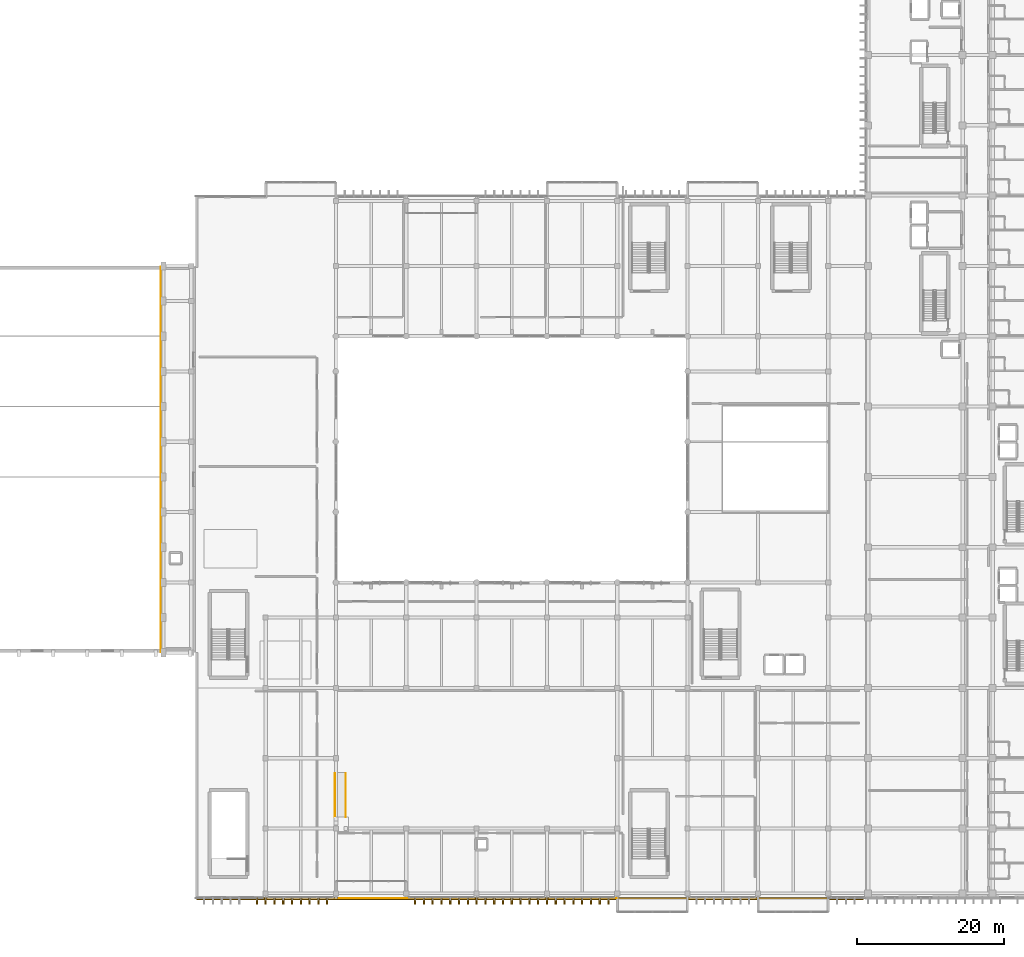
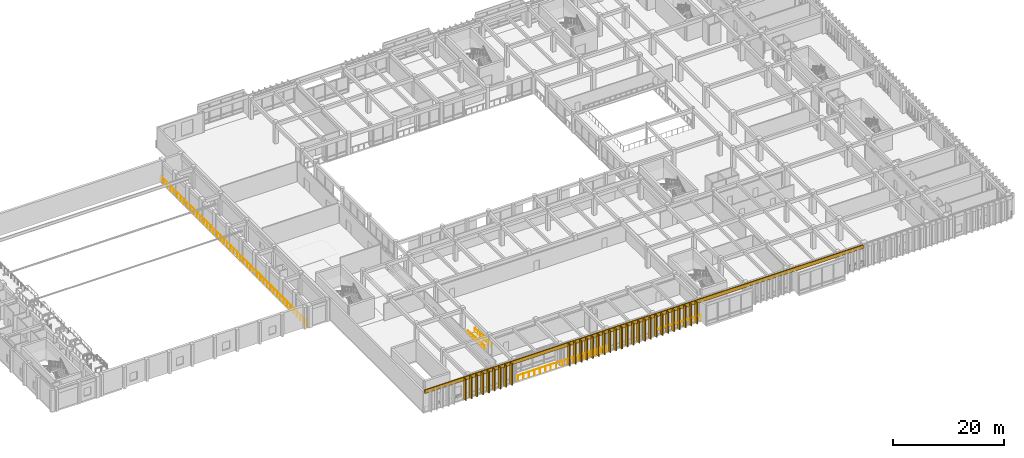
# One storey, part 119 of 133: 33 coverings, 32 shading devices, 6 railings.
"""IFC4 building model written with IfcOpenShell, lengths in metres."""

import ifcopenshell
import ifcopenshell.guid

model = None  # the IFC model being written
_history = None  # IfcOwnerHistory: only IFC2X3 demands one
_inside = {}  # id of a spatial element -> (the spatial element, [elements in it])
_under = {}  # id of a project, library or spatial element -> (it, [spatial elements below it])
_declared = {}  # id of a project -> (the project, [libraries it declares])
_typed = {}  # id of a type object -> (the type object, [elements of that type])
_made_of = {}  # id of a material, layer set ... -> (it, [elements and type objects made of it])


def new_model(schema):
    """Start an empty IFC model of exactly this schema.

    Asked for "IFC4X3", IfcOpenShell would pick the latest addendum, in which some entities
    have other attributes; the version numbers below select the first issue.
    IFC2X3 requires an IfcOwnerHistory on every rooted entity: one is made here for all.
    """
    global model, _history
    if schema == "IFC4X3":
        model = ifcopenshell.file(schema_version=(4, 3, 0, 0))
    else:
        model = ifcopenshell.file(schema=schema)
    _inside.clear()
    _under.clear()
    _declared.clear()
    _typed.clear()
    _made_of.clear()
    _history = None
    if model.schema == "IFC2X3":
        org = make("IfcOrganization", Name="unknown")
        user = make(
            "IfcPersonAndOrganization",
            ThePerson=make("IfcPerson", FamilyName="unknown"),
            TheOrganization=org,
        )
        app = make(
            "IfcApplication",
            ApplicationDeveloper=org,
            Version="unknown",
            ApplicationFullName="unknown",
            ApplicationIdentifier="unknown",
        )
        _history = make(
            "IfcOwnerHistory",
            OwningUser=user,
            OwningApplication=app,
            ChangeAction="ADDED",
            CreationDate=0,
        )
    return model


def make(cls, **values):
    """One entity of the class cls with the attributes given. An attribute that is None is left unset."""
    return model.create_entity(
        cls, **{name: value for name, value in values.items() if value is not None}
    )


def rooted(cls, **values):
    """An entity with a GlobalId (a new one), such as an element, a storey or a relation."""
    return make(cls, GlobalId=ifcopenshell.guid.new(), OwnerHistory=_history, **values)


def si_unit(unit_type, name, prefix=None):
    """IfcSIUnit, for example si_unit("LENGTHUNIT", "METRE", prefix="MILLI")."""
    return make("IfcSIUnit", UnitType=unit_type, Prefix=prefix, Name=name)


def assignment(units):
    """IfcUnitAssignment: the units of a project."""
    return None if units is None else make("IfcUnitAssignment", Units=units)


def point(xyz):
    """IfcCartesianPoint."""
    return None if xyz is None else make("IfcCartesianPoint", Coordinates=xyz)


def direction(xyz):
    """IfcDirection."""
    return None if xyz is None else make("IfcDirection", DirectionRatios=xyz)


def frame(location, z_axis=None, x_axis=None):
    """IfcAxis2Placement3D, a coordinate frame: its origin and axes. An axis left out is left unset."""
    return make(
        "IfcAxis2Placement3D",
        Location=point(location),
        Axis=direction(z_axis),
        RefDirection=direction(x_axis),
    )


def frame_2d(location, x_axis=None):
    """IfcAxis2Placement2D, a coordinate frame in the plane: its origin and x axis."""
    return make(
        "IfcAxis2Placement2D", Location=point(location), RefDirection=direction(x_axis)
    )


def origin():
    """The frame at (0, 0, 0) with its axes left unset."""
    return frame((0.0, 0.0, 0.0))


def origin_2d():
    """The frame at (0, 0) in the plane with its x axis left unset."""
    return frame_2d((0.0, 0.0))


def place(relative_to, where):
    """IfcLocalPlacement: puts the frame where relative to a parent placement (None: the world)."""
    return make(
        "IfcLocalPlacement", PlacementRelTo=relative_to, RelativePlacement=where
    )


def context(
    kind, dimensions, precision=None, world=None, true_north=None, identifier=None
):
    """IfcGeometricRepresentationContext, for example the 3D "Model" context."""
    return make(
        "IfcGeometricRepresentationContext",
        ContextIdentifier=identifier,
        ContextType=kind,
        CoordinateSpaceDimension=dimensions,
        Precision=precision,
        WorldCoordinateSystem=world,
        TrueNorth=true_north,
    )


def subcontext(parent, identifier, kind, view, scale=None):
    """IfcGeometricRepresentationSubContext, for example "Body" below "Model"."""
    return make(
        "IfcGeometricRepresentationSubContext",
        ContextIdentifier=identifier,
        ContextType=kind,
        ParentContext=parent,
        TargetScale=scale,
        TargetView=view,
    )


def project(units=None, contexts=None):
    """IfcProject with its units and contexts."""
    return rooted(
        "IfcProject",
        Name="project",
        RepresentationContexts=contexts,
        UnitsInContext=assignment(units),
    )


def spatial(cls, under=None, at=None, **own):
    """A site, building, storey or space (cls), placed at a placement, below another one or the project."""
    s = rooted(cls, ObjectPlacement=at, **own)
    if under is not None:
        _under.setdefault(under.id(), (under, []))[1].append(s)
    return s


def profile(cls, at=None, kind="AREA", **sizes):
    """A parametric profile (cls). Its sizes go by their IFC names, for example OverallWidth=200.0."""
    return make(cls, ProfileType=kind, Position=at, **sizes)


def rectangle(**sizes):
    """IfcRectangleProfileDef."""
    return profile("IfcRectangleProfileDef", **sizes)


def circle(**sizes):
    """IfcCircleProfileDef."""
    return profile("IfcCircleProfileDef", **sizes)


def extrude(swept, where, along, depth):
    """IfcExtrudedAreaSolid: the profile swept, set in the frame where, extruded along a direction by depth."""
    return make(
        "IfcExtrudedAreaSolid",
        SweptArea=swept,
        Position=where,
        ExtrudedDirection=direction(along),
        Depth=depth,
    )


def shape(context_of_items, identifier, shape_type, items):
    """IfcShapeRepresentation: the items that make up one representation, for example the "Body"."""
    return make(
        "IfcShapeRepresentation",
        ContextOfItems=context_of_items,
        RepresentationIdentifier=identifier,
        RepresentationType=shape_type,
        Items=items,
    )


def material(Name=None, Category=None):
    """IfcMaterial."""
    return make("IfcMaterial", Name=Name, Category=Category)


def layer(
    of_material, thickness, ventilated=None, Name=None, Category=None, Priority=None
):
    """IfcMaterialLayer: one layer of a wall or slab, of a material (None: an air gap)."""
    return make(
        "IfcMaterialLayer",
        Material=of_material,
        LayerThickness=thickness,
        IsVentilated=ventilated,
        Name=Name,
        Category=Category,
        Priority=Priority,
    )


def layer_set(layers, Name=None):
    """IfcMaterialLayerSet."""
    return make("IfcMaterialLayerSet", MaterialLayers=layers, LayerSetName=Name)


def made_of(thing, what):
    """Note that an element or type object is made of a material, layer set ...; save() writes the relation."""
    if what is not None:
        _made_of.setdefault(what.id(), (what, []))[1].append(thing)
    return thing


def type_object(cls, material=None, **own):
    """A type object (cls), such as IfcWallType, which elements share."""
    return made_of(rooted(cls, **own), material)


def element(
    cls,
    number,
    at=None,
    inside=None,
    cuts=None,
    type_object=None,
    material=None,
    context=None,
    identifier="Body",
    shape_type=None,
    held_by="IfcProductDefinitionShape",
    body=None,
    shapes=None,
    **own,
):
    """One element of the class cls, such as IfcWall. Its Tag is "e" and its number.

    at: its placement. inside: the storey or other place that contains it. cuts: it is an
    opening in that element (IfcRelVoidsElement). A single representation is given by context,
    identifier, shape_type and body (its items); several are given by shapes. held_by: the class
    of the entity that holds the representations. save() writes the other relations.
    """
    e = rooted(cls, Tag="e%d" % number, ObjectPlacement=at, **own)
    if body is not None:
        shapes = [shape(context, identifier, shape_type, body)]
    if shapes is not None:
        e.Representation = make(held_by, Representations=shapes)
    if inside is not None:
        _inside.setdefault(inside.id(), (inside, []))[1].append(e)
    if cuts is not None:
        rooted(
            "IfcRelVoidsElement", RelatingBuildingElement=cuts, RelatedOpeningElement=e
        )
    if type_object is not None:
        _typed.setdefault(type_object.id(), (type_object, []))[1].append(e)
    return made_of(e, material)


def aggregate(whole, parts):
    """IfcRelAggregates: a whole, such as a stair, and the parts it consists of."""
    return rooted("IfcRelAggregates", RelatingObject=whole, RelatedObjects=parts)


def save(model, path):
    """Write the relations noted so far, then the file.

    IfcRelAggregates (storeys below a building ...), IfcRelContainedInSpatialStructure (elements
    in a storey), IfcRelDefinesByType, IfcRelAssociatesMaterial and IfcRelDeclares: one each for
    every whole, place, type object, material and project.
    """
    for whole, parts in _under.values():
        aggregate(whole, parts)
    for where, things in _inside.values():
        rooted(
            "IfcRelContainedInSpatialStructure",
            RelatedElements=things,
            RelatingStructure=where,
        )
    for kind, things in _typed.values():
        rooted("IfcRelDefinesByType", RelatedObjects=things, RelatingType=kind)
    for what, things in _made_of.values():
        rooted("IfcRelAssociatesMaterial", RelatedObjects=things, RelatingMaterial=what)
    for by, libraries in _declared.values():
        rooted("IfcRelDeclares", RelatingContext=by, RelatedDefinitions=libraries)
    model.write(path)


model = new_model("IFC4")

# Units and contexts
model_context = context("Model", 3, precision=1e-05, world=origin(), true_north=direction((0.0, 1.0)))
body_context = subcontext(model_context, "Body", "Model", "MODEL_VIEW")
ifc_project = project(units=[si_unit("LENGTHUNIT", "METRE"), si_unit("AREAUNIT", "SQUARE_METRE"), si_unit("VOLUMEUNIT", "CUBIC_METRE"), si_unit("PLANEANGLEUNIT", "RADIAN"), si_unit("MASSUNIT", "GRAM", prefix="KILO")], contexts=[model_context])

# Site, building, storey
site_placement = place(None, origin())
site = spatial("IfcSite", under=ifc_project, at=site_placement, CompositionType="ELEMENT")
building_placement = place(site_placement, origin())
building = spatial("IfcBuilding", under=site, at=building_placement, Name="Nakhvara Creek Congress Hotel", CompositionType="ELEMENT")
storey_placement = place(building_placement, frame((0.0, 0.0, 11.39990234375)))
storey = spatial("IfcBuildingStorey", under=building, at=storey_placement, Name="L02", CompositionType="ELEMENT", Elevation=11.39990234375)

# Coverings
ifc_material_1 = material(Name="Honed pale Omani limestone architectural cladding", Category="masonry")
ifc_layer_1 = layer(ifc_material_1, 0.219970703125)
ifc_layer_set_1 = layer_set([ifc_layer_1], Name="Honed pale Omani limestone architectural cladding")
covering_type_1 = type_object("IfcCoveringType", Name="COV-FIN-850", PredefinedType="CLADDING", material=ifc_layer_set_1)
for number, where, z_axis, x_axis, name in (
    (1, (66.0, -0.304931640625, 0.0), (0.0, 0.0, 1.0), (1.0, 0.0, 0.0), "Pale Limestone Fin Cladding CF01-0222"),
    (2, (67.199951171875, -0.304931640625, 0.0), (0.0, 0.0, 1.0), (1.0, 0.0, 0.0), "Pale Limestone Fin Cladding CF01-0223"),
    (3, (68.39990234375, -0.304931640625, 0.0), (0.0, 0.0, 1.0), (1.0, 0.0, 0.0), "Pale Limestone Fin Cladding CF01-0224"),
    (4, (69.60009765625, -0.304931640625, 0.0), (0.0, 0.0, 1.0), (1.0, 0.0, 0.0), "Pale Limestone Fin Cladding CF01-0225"),
    (5, (70.800048828125, -0.304931640625, 0.0), (0.0, 0.0, 1.0), (1.0, 0.0, 0.0), "Pale Limestone Fin Cladding CF01-0226"),
    (6, (72.0, -0.304931640625, 0.0), (0.0, 0.0, 1.0), (1.0, 0.0, 0.0), "Pale Limestone Fin Cladding CF01-0227"),
    (7, (73.199951171875, -0.304931640625, 0.0), (0.0, 0.0, 1.0), (1.0, 0.0, 0.0), "Pale Limestone Fin Cladding CF01-0228"),
    (8, (74.39990234375, -0.304931640625, 0.0), (0.0, 0.0, 1.0), (1.0, 0.0, 0.0), "Pale Limestone Fin Cladding CF01-0229"),
    (9, (75.60009765625, -0.304931640625, 0.0), (0.0, 0.0, 1.0), (1.0, 0.0, 0.0), "Pale Limestone Fin Cladding CF01-0230"),
    (10, (87.60009765625, -0.304931640625, 0.0), (0.0, 0.0, 1.0), (1.0, 0.0, 0.0), "Pale Limestone Fin Cladding CF01-0231"),
    (11, (88.800048828125, -0.304931640625, 0.0), (0.0, 0.0, 1.0), (1.0, 0.0, 0.0), "Pale Limestone Fin Cladding CF01-0232"),
    (12, (90.0, -0.304931640625, 0.0), (0.0, 0.0, 1.0), (1.0, 0.0, 0.0), "Pale Limestone Fin Cladding CF01-0233"),
    (13, (91.199951171875, -0.304931640625, 0.0), (0.0, 0.0, 1.0), (1.0, 0.0, 0.0), "Pale Limestone Fin Cladding CF01-0234"),
    (14, (92.39990234375, -0.304931640625, 0.0), (0.0, 0.0, 1.0), (1.0, 0.0, 0.0), "Pale Limestone Fin Cladding CF01-0235"),
    (15, (93.60009765625, -0.304931640625, 0.0), (0.0, 0.0, 1.0), (1.0, 0.0, 0.0), "Pale Limestone Fin Cladding CF01-0236"),
    (16, (94.800048828125, -0.304931640625, 0.0), (0.0, 0.0, 1.0), (1.0, 0.0, 0.0), "Pale Limestone Fin Cladding CF01-0237"),
    (17, (96.0, -0.304931640625, 0.0), (0.0, 0.0, 1.0), (1.0, 0.0, 0.0), "Pale Limestone Fin Cladding CF01-0238"),
    (18, (97.199951171875, -0.304931640625, 0.0), (0.0, 0.0, 1.0), (1.0, 0.0, 0.0), "Pale Limestone Fin Cladding CF01-0239"),
    (19, (98.39990234375, -0.304931640625, 0.0), (0.0, 0.0, 1.0), (1.0, 0.0, 0.0), "Pale Limestone Fin Cladding CF01-0240"),
    (20, (99.60009765625, -0.304931640625, 0.0), (0.0, 0.0, 1.0), (1.0, 0.0, 0.0), "Pale Limestone Fin Cladding CF01-0241"),
    (21, (100.800048828125, -0.304931640625, 0.0), (0.0, 0.0, 1.0), (1.0, 0.0, 0.0), "Pale Limestone Fin Cladding CF01-0242"),
    (22, (102.0, -0.304931640625, 0.0), (0.0, 0.0, 1.0), (1.0, 0.0, 0.0), "Pale Limestone Fin Cladding CF01-0243"),
    (23, (103.199951171875, -0.304931640625, 0.0), (0.0, 0.0, 1.0), (1.0, 0.0, 0.0), "Pale Limestone Fin Cladding CF01-0244"),
    (24, (104.39990234375, -0.304931640625, 0.0), (0.0, 0.0, 1.0), (1.0, 0.0, 0.0), "Pale Limestone Fin Cladding CF01-0245"),
    (25, (105.60009765625, -0.304931640625, 0.0), (0.0, 0.0, 1.0), (1.0, 0.0, 0.0), "Pale Limestone Fin Cladding CF01-0246"),
    (26, (106.800048828125, -0.304931640625, 0.0), (0.0, 0.0, 1.0), (1.0, 0.0, 0.0), "Pale Limestone Fin Cladding CF01-0247"),
    (27, (108.0, -0.304931640625, 0.0), (0.0, 0.0, 1.0), (1.0, 0.0, 0.0), "Pale Limestone Fin Cladding CF01-0248"),
    (28, (109.199951171875, -0.304931640625, 0.0), (0.0, 0.0, 1.0), (1.0, 0.0, 0.0), "Pale Limestone Fin Cladding CF01-0249"),
    (29, (110.39990234375, -0.304931640625, 0.0), (0.0, 0.0, 1.0), (1.0, 0.0, 0.0), "Pale Limestone Fin Cladding CF01-0250"),
    (30, (111.60009765625, -0.304931640625, 0.0), (0.0, 0.0, 1.0), (1.0, 0.0, 0.0), "Pale Limestone Fin Cladding CF01-0251"),
    (31, (112.800048828125, -0.304931640625, 0.0), (0.0, 0.0, 1.0), (1.0, 0.0, 0.0), "Pale Limestone Fin Cladding CF01-0252"),
    (32, (114.0, -0.304931640625, 0.0), (0.0, 0.0, 1.0), (1.0, 0.0, 0.0), "Pale Limestone Fin Cladding CF01-0253"),
):
    element("IfcCovering", number, at=place(storey_placement, frame(where, z_axis=z_axis, x_axis=x_axis)), inside=storey, type_object=covering_type_1, Name=name, PredefinedType="CLADDING", context=body_context, shape_type="SweptSolid", body=[
        extrude(rectangle(XDim=0.219970703125, YDim=0.85009765625, at=origin_2d()), origin(), (0.0, 0.0, 1.0), 4.719970703125),
    ])
ifc_layer_2 = layer(ifc_material_1, 0.179931640625)
ifc_layer_set_2 = layer_set([ifc_layer_2], Name="Honed pale Omani limestone architectural cladding")
covering_type_2 = type_object("IfcCoveringType", Name="COV-SPN-180", PredefinedType="CLADDING", material=ifc_layer_set_2)
covering_placement = place(storey_placement, frame((103.300048828125, 0.010009765625, 4.0400390625), z_axis=(0.0, 0.0, 1.0), x_axis=(1.0, 0.0, 0.0)))
element("IfcCovering", 33, at=covering_placement, inside=storey, type_object=covering_type_2, Name="Pale Limestone Spandrel Band CF02-0019", PredefinedType="CLADDING", context=body_context, shape_type="SweptSolid", body=[
    extrude(rectangle(XDim=91.0, YDim=0.219970703125, at=origin_2d()), origin(), (0.0, 0.0, 1.0), 0.780029296875),
])

# Railings
ifc_material_2 = material(Name="Bronze-anodised aluminium and laminated safety glass balustrade", Category="aluminium")
railing_type_1 = type_object("IfcRailingType", Name="RL-BALUS-1200", PredefinedType="BALUSTRADE", material=ifc_material_2)
railing_1_placement = place(storey_placement, frame((77.25, 0.080078125, 0.0)))
element("IfcRailing", 34, at=railing_1_placement, inside=storey, type_object=railing_type_1, Name="South Loggia Balustrade RBOX-L02-S1", PredefinedType="BALUSTRADE", context=body_context, shape_type="SweptSolid", body=[
    extrude(circle(Radius=0.02392578125, at=origin_2d()), frame((0.0146484375, 0.0, 1.17578125), z_axis=(1.0, 0.0, 0.0), x_axis=(0.0, 1.0, 0.0)), (0.0, 0.0, 1.0), 9.040771484375),
    extrude(circle(Radius=0.02099609375, at=origin_2d()), origin(), (0.0, 0.0, 1.0), 1.1806640625),
    extrude(circle(Radius=0.02099609375, at=origin_2d()), frame((1.1337890625, 0.0, 0.0)), (0.0, 0.0, 1.0), 1.1806640625),
    extrude(circle(Radius=0.02099609375, at=origin_2d()), frame((2.267578125, 0.0, 0.0)), (0.0, 0.0, 1.0), 1.1806640625),
    extrude(circle(Radius=0.02099609375, at=origin_2d()), frame((3.4013671875, 0.0, 0.0)), (0.0, 0.0, 1.0), 1.1806640625),
    extrude(circle(Radius=0.02099609375, at=origin_2d()), frame((4.53515625, 0.0, 0.0)), (0.0, 0.0, 1.0), 1.1806640625),
    extrude(circle(Radius=0.02099609375, at=origin_2d()), frame((5.668701171875, 0.0, 0.0)), (0.0, 0.0, 1.0), 1.1806640625),
    extrude(circle(Radius=0.02099609375, at=origin_2d()), frame((6.802490234375, 0.0, 0.0)), (0.0, 0.0, 1.0), 1.1806640625),
    extrude(circle(Radius=0.02099609375, at=origin_2d()), frame((7.936279296875, 0.0, 0.0)), (0.0, 0.0, 1.0), 1.1806640625),
    extrude(circle(Radius=0.02099609375, at=origin_2d()), frame((9.070068359375, 0.0, 0.0)), (0.0, 0.0, 1.0), 1.1806640625),
])
ifc_material_3 = material(Name="Brushed stainless steel 316L", Category="steel")
railing_type_2 = type_object("IfcRailingType", Name="RL-GUARD-1200", PredefinedType="GUARDRAIL", material=ifc_material_3)
railing_2_placement = place(storey_placement, frame((86.4599609375, 0.080078125, 0.0)))
element("IfcRailing", 35, at=railing_2_placement, inside=storey, type_object=railing_type_2, Name="South Spa Facade Safety Rail L02-86", PredefinedType="GUARDRAIL", context=body_context, shape_type="SweptSolid", body=[
    extrude(circle(Radius=0.02392578125, at=origin_2d()), frame((0.0146484375, 0.0, 1.17578125), z_axis=(1.0, 0.0, 0.0), x_axis=(0.0, 1.0, 0.0)), (0.0, 0.0, 1.0), 9.060791015625),
    extrude(circle(Radius=0.02099609375, at=origin_2d()), origin(), (0.0, 0.0, 1.0), 1.1806640625),
    extrude(circle(Radius=0.02099609375, at=origin_2d()), frame((1.13623046875, 0.0, 0.0)), (0.0, 0.0, 1.0), 1.1806640625),
    extrude(circle(Radius=0.02099609375, at=origin_2d()), frame((2.2724609375, 0.0, 0.0)), (0.0, 0.0, 1.0), 1.1806640625),
    extrude(circle(Radius=0.02099609375, at=origin_2d()), frame((3.40869140625, 0.0, 0.0)), (0.0, 0.0, 1.0), 1.1806640625),
    extrude(circle(Radius=0.02099609375, at=origin_2d()), frame((4.544921875, 0.0, 0.0)), (0.0, 0.0, 1.0), 1.1806640625),
    extrude(circle(Radius=0.02099609375, at=origin_2d()), frame((5.681396484375, 0.0, 0.0)), (0.0, 0.0, 1.0), 1.1806640625),
    extrude(circle(Radius=0.02099609375, at=origin_2d()), frame((6.817626953125, 0.0, 0.0)), (0.0, 0.0, 1.0), 1.1806640625),
    extrude(circle(Radius=0.02099609375, at=origin_2d()), frame((7.953857421875, 0.0, 0.0)), (0.0, 0.0, 1.0), 1.1806640625),
    extrude(circle(Radius=0.02099609375, at=origin_2d()), frame((9.090087890625, 0.0, 0.0)), (0.0, 0.0, 1.0), 1.1806640625),
])
railing_3_placement = place(storey_placement, frame((106.050048828125, 0.080078125, 0.0)))
element("IfcRailing", 36, at=railing_3_placement, inside=storey, type_object=railing_type_2, Name="South Spa Facade Safety Rail L02-106", PredefinedType="GUARDRAIL", context=body_context, shape_type="SweptSolid", body=[
    extrude(circle(Radius=0.02392578125, at=origin_2d()), frame((0.0146484375, 0.0, 1.17578125), z_axis=(1.0, 0.0, 0.0), x_axis=(0.0, 1.0, 0.0)), (0.0, 0.0, 1.0), 9.060546875),
    extrude(circle(Radius=0.02099609375, at=origin_2d()), origin(), (0.0, 0.0, 1.0), 1.1806640625),
    extrude(circle(Radius=0.02099609375, at=origin_2d()), frame((1.13623046875, 0.0, 0.0)), (0.0, 0.0, 1.0), 1.1806640625),
    extrude(circle(Radius=0.02099609375, at=origin_2d()), frame((2.2724609375, 0.0, 0.0)), (0.0, 0.0, 1.0), 1.1806640625),
    extrude(circle(Radius=0.02099609375, at=origin_2d()), frame((3.40869140625, 0.0, 0.0)), (0.0, 0.0, 1.0), 1.1806640625),
    extrude(circle(Radius=0.02099609375, at=origin_2d()), frame((4.544921875, 0.0, 0.0)), (0.0, 0.0, 1.0), 1.1806640625),
    extrude(circle(Radius=0.02099609375, at=origin_2d()), frame((5.68115234375, 0.0, 0.0)), (0.0, 0.0, 1.0), 1.1806640625),
    extrude(circle(Radius=0.02099609375, at=origin_2d()), frame((6.8173828125, 0.0, 0.0)), (0.0, 0.0, 1.0), 1.1806640625),
    extrude(circle(Radius=0.02099609375, at=origin_2d()), frame((7.95361328125, 0.0, 0.0)), (0.0, 0.0, 1.0), 1.1806640625),
    extrude(circle(Radius=0.02099609375, at=origin_2d()), frame((9.08984375, 0.0, 0.0)), (0.0, 0.0, 1.0), 1.1806640625),
])
railing_4_placement = place(storey_placement, frame((52.8798828125, 33.699951171875, 0.0)))
element("IfcRailing", 37, at=railing_4_placement, inside=storey, type_object=railing_type_2, Name="Stage Gallery Inner Guard L02", PredefinedType="GUARDRAIL", context=body_context, shape_type="SweptSolid", body=[
    extrude(circle(Radius=0.02392578125, at=origin_2d()), frame((0.0, 0.0146484375, 1.17578125), z_axis=(0.0, 1.0, 0.0), x_axis=(-1.0, 0.0, 0.0)), (0.0, 0.0, 1.0), 52.57080078125),
    extrude(circle(Radius=0.02099609375, at=origin_2d()), origin(), (0.0, 0.0, 1.0), 1.1806640625),
    extrude(circle(Radius=0.02099609375, at=origin_2d()), frame((0.0, 1.195556640625, 0.0)), (0.0, 0.0, 1.0), 1.1806640625),
    extrude(circle(Radius=0.02099609375, at=origin_2d()), frame((0.0, 2.390869140625, 0.0)), (0.0, 0.0, 1.0), 1.1806640625),
    extrude(circle(Radius=0.02099609375, at=origin_2d()), frame((0.0, 3.58642578125, 0.0)), (0.0, 0.0, 1.0), 1.1806640625),
    extrude(circle(Radius=0.02099609375, at=origin_2d()), frame((0.0, 4.78173828125, 0.0)), (0.0, 0.0, 1.0), 1.1806640625),
    extrude(circle(Radius=0.02099609375, at=origin_2d()), frame((0.0, 5.977294921875, 0.0)), (0.0, 0.0, 1.0), 1.1806640625),
    extrude(circle(Radius=0.02099609375, at=origin_2d()), frame((0.0, 7.1728515625, 0.0)), (0.0, 0.0, 1.0), 1.1806640625),
    extrude(circle(Radius=0.02099609375, at=origin_2d()), frame((0.0, 8.3681640625, 0.0)), (0.0, 0.0, 1.0), 1.1806640625),
    extrude(circle(Radius=0.02099609375, at=origin_2d()), frame((0.0, 9.563720703125, 0.0)), (0.0, 0.0, 1.0), 1.1806640625),
    extrude(circle(Radius=0.02099609375, at=origin_2d()), frame((0.0, 10.759033203125, 0.0)), (0.0, 0.0, 1.0), 1.1806640625),
    extrude(circle(Radius=0.02099609375, at=origin_2d()), frame((0.0, 11.95458984375, 0.0)), (0.0, 0.0, 1.0), 1.1806640625),
    extrude(circle(Radius=0.02099609375, at=origin_2d()), frame((0.0, 13.14990234375, 0.0)), (0.0, 0.0, 1.0), 1.1806640625),
    extrude(circle(Radius=0.02099609375, at=origin_2d()), frame((0.0, 14.345458984375, 0.0)), (0.0, 0.0, 1.0), 1.1806640625),
    extrude(circle(Radius=0.02099609375, at=origin_2d()), frame((0.0, 15.541015625, 0.0)), (0.0, 0.0, 1.0), 1.1806640625),
    extrude(circle(Radius=0.02099609375, at=origin_2d()), frame((0.0, 16.736328125, 0.0)), (0.0, 0.0, 1.0), 1.1806640625),
    extrude(circle(Radius=0.02099609375, at=origin_2d()), frame((0.0, 17.931884765625, 0.0)), (0.0, 0.0, 1.0), 1.1806640625),
    extrude(circle(Radius=0.02099609375, at=origin_2d()), frame((0.0, 19.127197265625, 0.0)), (0.0, 0.0, 1.0), 1.1806640625),
    extrude(circle(Radius=0.02099609375, at=origin_2d()), frame((0.0, 20.32275390625, 0.0)), (0.0, 0.0, 1.0), 1.1806640625),
    extrude(circle(Radius=0.02099609375, at=origin_2d()), frame((0.0, 21.518310546875, 0.0)), (0.0, 0.0, 1.0), 1.1806640625),
    extrude(circle(Radius=0.02099609375, at=origin_2d()), frame((0.0, 22.713623046875, 0.0)), (0.0, 0.0, 1.0), 1.1806640625),
    extrude(circle(Radius=0.02099609375, at=origin_2d()), frame((0.0, 23.9091796875, 0.0)), (0.0, 0.0, 1.0), 1.1806640625),
    extrude(circle(Radius=0.02099609375, at=origin_2d()), frame((0.0, 25.1044921875, 0.0)), (0.0, 0.0, 1.0), 1.1806640625),
    extrude(circle(Radius=0.02099609375, at=origin_2d()), frame((0.0, 26.300048828125, 0.0)), (0.0, 0.0, 1.0), 1.1806640625),
    extrude(circle(Radius=0.02099609375, at=origin_2d()), frame((0.0, 27.49560546875, 0.0)), (0.0, 0.0, 1.0), 1.1806640625),
    extrude(circle(Radius=0.02099609375, at=origin_2d()), frame((0.0, 28.69091796875, 0.0)), (0.0, 0.0, 1.0), 1.1806640625),
    extrude(circle(Radius=0.02099609375, at=origin_2d()), frame((0.0, 29.886474609375, 0.0)), (0.0, 0.0, 1.0), 1.1806640625),
    extrude(circle(Radius=0.02099609375, at=origin_2d()), frame((0.0, 31.081787109375, 0.0)), (0.0, 0.0, 1.0), 1.1806640625),
    extrude(circle(Radius=0.02099609375, at=origin_2d()), frame((0.0, 32.27734375, 0.0)), (0.0, 0.0, 1.0), 1.1806640625),
    extrude(circle(Radius=0.02099609375, at=origin_2d()), frame((0.0, 33.472900390625, 0.0)), (0.0, 0.0, 1.0), 1.1806640625),
    extrude(circle(Radius=0.02099609375, at=origin_2d()), frame((0.0, 34.668212890625, 0.0)), (0.0, 0.0, 1.0), 1.1806640625),
    extrude(circle(Radius=0.02099609375, at=origin_2d()), frame((0.0, 35.86376953125, 0.0)), (0.0, 0.0, 1.0), 1.1806640625),
    extrude(circle(Radius=0.02099609375, at=origin_2d()), frame((0.0, 37.05908203125, 0.0)), (0.0, 0.0, 1.0), 1.1806640625),
    extrude(circle(Radius=0.02099609375, at=origin_2d()), frame((0.0, 38.254638671875, 0.0)), (0.0, 0.0, 1.0), 1.1806640625),
    extrude(circle(Radius=0.02099609375, at=origin_2d()), frame((0.0, 39.4501953125, 0.0)), (0.0, 0.0, 1.0), 1.1806640625),
    extrude(circle(Radius=0.02099609375, at=origin_2d()), frame((0.0, 40.6455078125, 0.0)), (0.0, 0.0, 1.0), 1.1806640625),
    extrude(circle(Radius=0.02099609375, at=origin_2d()), frame((0.0, 41.841064453125, 0.0)), (0.0, 0.0, 1.0), 1.1806640625),
    extrude(circle(Radius=0.02099609375, at=origin_2d()), frame((0.0, 43.036376953125, 0.0)), (0.0, 0.0, 1.0), 1.1806640625),
    extrude(circle(Radius=0.02099609375, at=origin_2d()), frame((0.0, 44.23193359375, 0.0)), (0.0, 0.0, 1.0), 1.1806640625),
    extrude(circle(Radius=0.02099609375, at=origin_2d()), frame((0.0, 45.42724609375, 0.0)), (0.0, 0.0, 1.0), 1.1806640625),
    extrude(circle(Radius=0.02099609375, at=origin_2d()), frame((0.0, 46.622802734375, 0.0)), (0.0, 0.0, 1.0), 1.1806640625),
    extrude(circle(Radius=0.02099609375, at=origin_2d()), frame((0.0, 47.818359375, 0.0)), (0.0, 0.0, 1.0), 1.1806640625),
    extrude(circle(Radius=0.02099609375, at=origin_2d()), frame((0.0, 49.013671875, 0.0)), (0.0, 0.0, 1.0), 1.1806640625),
    extrude(circle(Radius=0.02099609375, at=origin_2d()), frame((0.0, 50.209228515625, 0.0)), (0.0, 0.0, 1.0), 1.1806640625),
    extrude(circle(Radius=0.02099609375, at=origin_2d()), frame((0.0, 51.404541015625, 0.0)), (0.0, 0.0, 1.0), 1.1806640625),
    extrude(circle(Radius=0.02099609375, at=origin_2d()), frame((0.0, 52.60009765625, 0.0)), (0.0, 0.0, 1.0), 1.1806640625),
])
railing_type_3 = type_object("IfcRailingType", Name="RL-HAND-900", PredefinedType="HANDRAIL", material=ifc_material_3)
for number, where, name in (
    (38, (76.659912109375, 17.14990234375, 0.0), "Ramp Handrail PR04-1L"),
    (39, (78.139892578125, 17.14990234375, 0.0), "Ramp Handrail PR04-1R"),
):
    element("IfcRailing", number, at=place(storey_placement, frame(where)), inside=storey, type_object=railing_type_3, Name=name, PredefinedType="HANDRAIL", context=body_context, shape_type="SweptSolid", body=[
        extrude(circle(Radius=0.02392578125, at=origin_2d()), frame((0.0, -0.0146484375, 0.876708984375), z_axis=(0.0, -0.998301996181, 0.058250531515), x_axis=(1.0, 0.0, 0.0)), (0.0, 0.0, 1.0), 5.980712890625),
        extrude(circle(Radius=0.02099609375, at=origin_2d()), origin(), (0.0, 0.0, 1.0), 0.880615234375),
        extrude(circle(Radius=0.02099609375, at=origin_2d()), frame((0.0, -1.0, 0.058349609375)), (0.0, 0.0, 1.0), 0.880615234375),
        extrude(circle(Radius=0.02099609375, at=origin_2d()), frame((0.0, -2.0, 0.11669921875)), (0.0, 0.0, 1.0), 0.880615234375),
        extrude(circle(Radius=0.02099609375, at=origin_2d()), frame((0.0, -3.0, 0.175048828125)), (0.0, 0.0, 1.0), 0.880615234375),
        extrude(circle(Radius=0.02099609375, at=origin_2d()), frame((0.0, -4.0, 0.2333984375)), (0.0, 0.0, 1.0), 0.880615234375),
        extrude(circle(Radius=0.02099609375, at=origin_2d()), frame((0.0, -5.0, 0.291748046875)), (0.0, 0.0, 1.0), 0.880615234375),
        extrude(circle(Radius=0.02099609375, at=origin_2d()), frame((0.0, -6.0, 0.35009765625)), (0.0, 0.0, 1.0), 0.880615234375),
    ])

# Shading devices
ifc_material_4 = material(Name="Honed pale Omani limestone cladding on stainless steel spine", Category="masonry")
shading_device_type = type_object("IfcShadingDeviceType", Name="SHD-FIN-850X4700", PredefinedType="USERDEFINED", material=ifc_material_4)
for number, where, z_axis, x_axis, name in (
    (40, (66.0, -0.304931640625, 0.0), (0.0, 0.0, 1.0), (1.0, 0.0, 0.0), "Limestone Solar Fin FN02-0222"),
    (41, (67.199951171875, -0.304931640625, 0.0), (0.0, 0.0, 1.0), (1.0, 0.0, 0.0), "Limestone Solar Fin FN02-0223"),
    (42, (68.39990234375, -0.304931640625, 0.0), (0.0, 0.0, 1.0), (1.0, 0.0, 0.0), "Limestone Solar Fin FN02-0224"),
    (43, (69.60009765625, -0.304931640625, 0.0), (0.0, 0.0, 1.0), (1.0, 0.0, 0.0), "Limestone Solar Fin FN02-0225"),
    (44, (70.800048828125, -0.304931640625, 0.0), (0.0, 0.0, 1.0), (1.0, 0.0, 0.0), "Limestone Solar Fin FN02-0226"),
    (45, (72.0, -0.304931640625, 0.0), (0.0, 0.0, 1.0), (1.0, 0.0, 0.0), "Limestone Solar Fin FN02-0227"),
    (46, (73.199951171875, -0.304931640625, 0.0), (0.0, 0.0, 1.0), (1.0, 0.0, 0.0), "Limestone Solar Fin FN02-0228"),
    (47, (74.39990234375, -0.304931640625, 0.0), (0.0, 0.0, 1.0), (1.0, 0.0, 0.0), "Limestone Solar Fin FN02-0229"),
    (48, (75.60009765625, -0.304931640625, 0.0), (0.0, 0.0, 1.0), (1.0, 0.0, 0.0), "Limestone Solar Fin FN02-0230"),
    (49, (87.60009765625, -0.304931640625, 0.0), (0.0, 0.0, 1.0), (1.0, 0.0, 0.0), "Limestone Solar Fin FN02-0231"),
    (50, (88.800048828125, -0.304931640625, 0.0), (0.0, 0.0, 1.0), (1.0, 0.0, 0.0), "Limestone Solar Fin FN02-0232"),
    (51, (90.0, -0.304931640625, 0.0), (0.0, 0.0, 1.0), (1.0, 0.0, 0.0), "Limestone Solar Fin FN02-0233"),
    (52, (91.199951171875, -0.304931640625, 0.0), (0.0, 0.0, 1.0), (1.0, 0.0, 0.0), "Limestone Solar Fin FN02-0234"),
    (53, (92.39990234375, -0.304931640625, 0.0), (0.0, 0.0, 1.0), (1.0, 0.0, 0.0), "Limestone Solar Fin FN02-0235"),
    (54, (93.60009765625, -0.304931640625, 0.0), (0.0, 0.0, 1.0), (1.0, 0.0, 0.0), "Limestone Solar Fin FN02-0236"),
    (55, (94.800048828125, -0.304931640625, 0.0), (0.0, 0.0, 1.0), (1.0, 0.0, 0.0), "Limestone Solar Fin FN02-0237"),
    (56, (96.0, -0.304931640625, 0.0), (0.0, 0.0, 1.0), (1.0, 0.0, 0.0), "Limestone Solar Fin FN02-0238"),
    (57, (97.199951171875, -0.304931640625, 0.0), (0.0, 0.0, 1.0), (1.0, 0.0, 0.0), "Limestone Solar Fin FN02-0239"),
    (58, (98.39990234375, -0.304931640625, 0.0), (0.0, 0.0, 1.0), (1.0, 0.0, 0.0), "Limestone Solar Fin FN02-0240"),
    (59, (99.60009765625, -0.304931640625, 0.0), (0.0, 0.0, 1.0), (1.0, 0.0, 0.0), "Limestone Solar Fin FN02-0241"),
    (60, (100.800048828125, -0.304931640625, 0.0), (0.0, 0.0, 1.0), (1.0, 0.0, 0.0), "Limestone Solar Fin FN02-0242"),
    (61, (102.0, -0.304931640625, 0.0), (0.0, 0.0, 1.0), (1.0, 0.0, 0.0), "Limestone Solar Fin FN02-0243"),
    (62, (103.199951171875, -0.304931640625, 0.0), (0.0, 0.0, 1.0), (1.0, 0.0, 0.0), "Limestone Solar Fin FN02-0244"),
    (63, (104.39990234375, -0.304931640625, 0.0), (0.0, 0.0, 1.0), (1.0, 0.0, 0.0), "Limestone Solar Fin FN02-0245"),
    (64, (105.60009765625, -0.304931640625, 0.0), (0.0, 0.0, 1.0), (1.0, 0.0, 0.0), "Limestone Solar Fin FN02-0246"),
    (65, (106.800048828125, -0.304931640625, 0.0), (0.0, 0.0, 1.0), (1.0, 0.0, 0.0), "Limestone Solar Fin FN02-0247"),
    (66, (108.0, -0.304931640625, 0.0), (0.0, 0.0, 1.0), (1.0, 0.0, 0.0), "Limestone Solar Fin FN02-0248"),
    (67, (109.199951171875, -0.304931640625, 0.0), (0.0, 0.0, 1.0), (1.0, 0.0, 0.0), "Limestone Solar Fin FN02-0249"),
    (68, (110.39990234375, -0.304931640625, 0.0), (0.0, 0.0, 1.0), (1.0, 0.0, 0.0), "Limestone Solar Fin FN02-0250"),
    (69, (111.60009765625, -0.304931640625, 0.0), (0.0, 0.0, 1.0), (1.0, 0.0, 0.0), "Limestone Solar Fin FN02-0251"),
    (70, (112.800048828125, -0.304931640625, 0.0), (0.0, 0.0, 1.0), (1.0, 0.0, 0.0), "Limestone Solar Fin FN02-0252"),
    (71, (114.0, -0.304931640625, 0.0), (0.0, 0.0, 1.0), (1.0, 0.0, 0.0), "Limestone Solar Fin FN02-0253"),
):
    element("IfcShadingDevice", number, at=place(storey_placement, frame(where, z_axis=z_axis, x_axis=x_axis)), inside=storey, type_object=shading_device_type, Name=name, ObjectType="FIN", PredefinedType="USERDEFINED", context=body_context, shape_type="SweptSolid", body=[
        extrude(rectangle(XDim=0.199951171875, YDim=0.85009765625, at=origin_2d()), origin(), (0.0, 0.0, 1.0), 4.719970703125),
    ])

save(model, "model.ifc")
